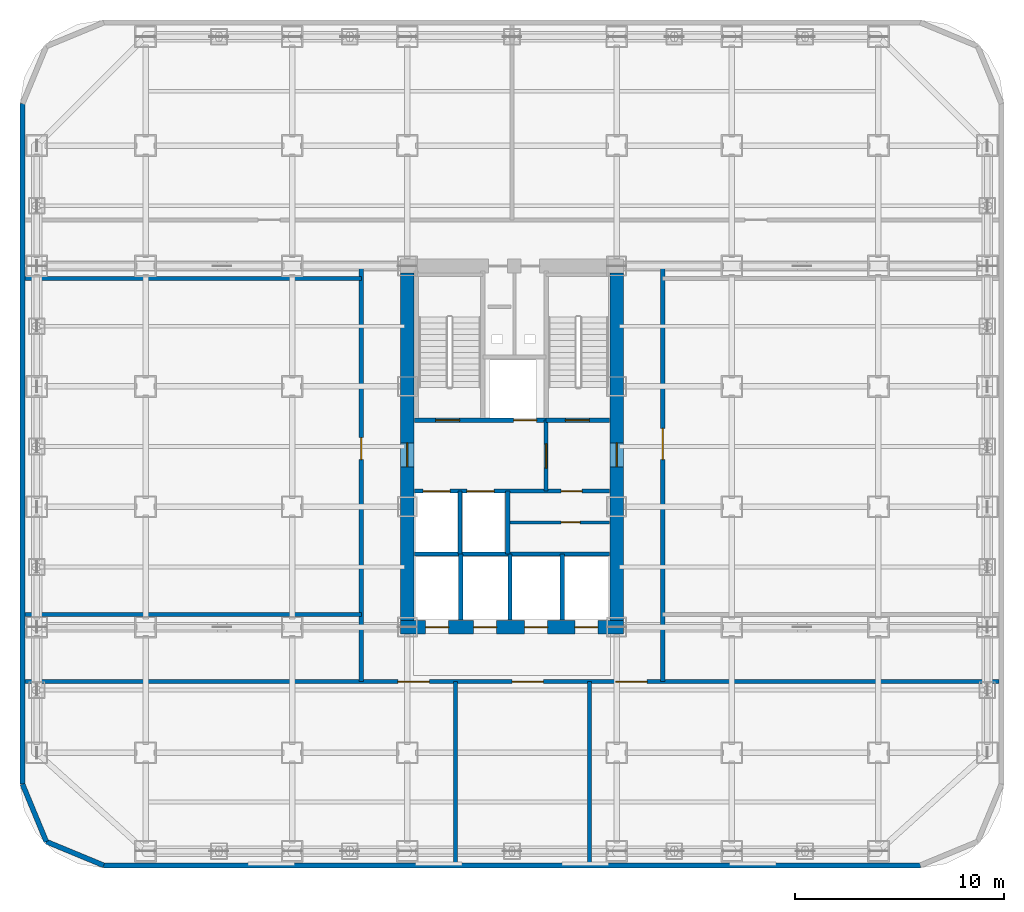
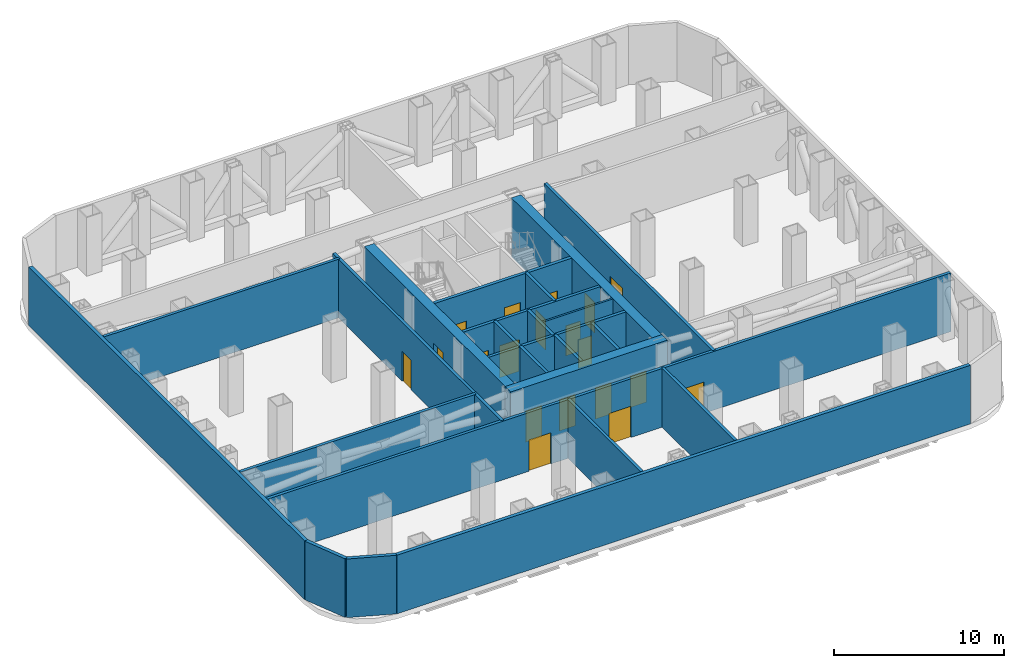
# One storey, part 8 of 10: 25 walls, 19 doors, 19 openings.
"""IFC4 building model written with IfcOpenShell, lengths in metres."""

from ifc_helpers import new_model, si_unit, direction, frame, frame_2d, origin, place, context, subcontext, project, spatial, rectangle, extrude, material, layer, layer_set, type_object, element, fill, save


model = new_model("IFC4")

# Units and contexts
model_context = context("Model", 3, precision=1e-05, world=origin(), true_north=direction((0.0, 1.0)))
body_context = subcontext(model_context, "Body", "Model", "MODEL_VIEW")
ifc_project = project(units=[si_unit("LENGTHUNIT", "METRE"), si_unit("AREAUNIT", "SQUARE_METRE"), si_unit("VOLUMEUNIT", "CUBIC_METRE"), si_unit("PLANEANGLEUNIT", "RADIAN"), si_unit("MASSUNIT", "GRAM", prefix="KILO")], contexts=[model_context])

# Site, building, storey
site_placement = place(None, origin())
site = spatial("IfcSite", under=ifc_project, at=site_placement, CompositionType="ELEMENT")
building_placement = place(site_placement, origin())
building = spatial("IfcBuilding", under=site, at=building_placement, Name="Kolveth Station Tower", CompositionType="ELEMENT")
storey_placement = place(building_placement, frame((0.0, 0.0, 76.5)))
storey = spatial("IfcBuildingStorey", under=building, at=storey_placement, Name="L20", CompositionType="ELEMENT", Elevation=76.5)

# Wall, openings, doors
ifc_material_1 = material(Name="Concrete C60/75", Category="concrete")
ifc_layer_1 = layer(ifc_material_1, 0.64990234375)
ifc_layer_set_1 = layer_set([ifc_layer_1], Name="Concrete C60/75")
wall_type_1 = type_object("IfcWallType", Name="Wall_CW-650", PredefinedType="SHEAR", material=ifc_layer_set_1)
wall_1_placement = place(storey_placement, frame((18.175048828125, 11.5, 0.0), z_axis=(0.0, 0.0, 1.0), x_axis=(1.0, 0.0, 0.0)))
wall_1 = element("IfcWall", 1, at=wall_1_placement, inside=storey, type_object=wall_type_1, Name="L20 Core RC Shear Wall S", PredefinedType="SHEAR", context=body_context, shape_type="SweptSolid", body=[
    extrude(rectangle(XDim=10.64990234375, YDim=0.64990234375, at=frame_2d((5.324951171875, 0.0))), origin(), (0.0, 0.0, 1.0), 4.219970703125),
])
opening_1_placement = place(wall_1_placement, frame((1.195068359375, 0.0, 0.0)))
opening_1 = element("IfcOpeningElement", 2, at=opening_1_placement, cuts=wall_1, Name="Opening LD1", PredefinedType="OPENING", context=body_context, shape_type="SweptSolid", body=[
    extrude(rectangle(XDim=1.10009765625, YDim=2.25, at=frame_2d((0.550048828125, 1.125))), frame((0.0, 0.3349609375, 0.0), z_axis=(0.0, -1.0, 0.0), x_axis=(1.0, 0.0, 0.0)), (0.0, 0.0, 1.0), 0.669921875),
])
opening_2_placement = place(wall_1_placement, frame((3.4951171875, 0.0, 0.0)))
opening_2 = element("IfcOpeningElement", 3, at=opening_2_placement, cuts=wall_1, Name="Opening LD1", PredefinedType="OPENING", context=body_context, shape_type="SweptSolid", body=[
    extrude(rectangle(XDim=1.10009765625, YDim=2.25, at=frame_2d((0.550048828125, 1.125))), frame((0.0, 0.3349609375, 0.0), z_axis=(0.0, -1.0, 0.0), x_axis=(1.0, 0.0, 0.0)), (0.0, 0.0, 1.0), 0.669921875),
])
opening_3_placement = place(wall_1_placement, frame((5.925048828125, 0.0, 0.0)))
opening_3 = element("IfcOpeningElement", 4, at=opening_3_placement, cuts=wall_1, Name="Opening LD1", PredefinedType="OPENING", context=body_context, shape_type="SweptSolid", body=[
    extrude(rectangle(XDim=1.10009765625, YDim=2.25, at=frame_2d((0.550048828125, 1.125))), frame((0.0, 0.3349609375, 0.0), z_axis=(0.0, -1.0, 0.0), x_axis=(1.0, 0.0, 0.0)), (0.0, 0.0, 1.0), 0.669921875),
])
opening_4_placement = place(wall_1_placement, frame((8.324951171875, 0.0, 0.0)))
opening_4 = element("IfcOpeningElement", 5, at=opening_4_placement, cuts=wall_1, Name="Opening LD1", PredefinedType="OPENING", context=body_context, shape_type="SweptSolid", body=[
    extrude(rectangle(XDim=1.10009765625, YDim=2.25, at=frame_2d((0.550048828125, 1.125))), frame((0.0, 0.3349609375, 0.0), z_axis=(0.0, -1.0, 0.0), x_axis=(1.0, 0.0, 0.0)), (0.0, 0.0, 1.0), 0.669921875),
])
ifc_material_2 = material(Name="Brushed stainless steel sliding landing doors", Category="steel")
door_type_1 = type_object("IfcDoorType", Name="Door_LD1", OperationType="NOTDEFINED", PredefinedType="DOOR", material=ifc_material_2)
door_1_placement = place(opening_1_placement, frame((1.10009765625, 0.0, 0.0), z_axis=(0.0, 0.0, 1.0), x_axis=(-1.0, 0.0, 0.0)))
door_1 = element("IfcDoor", 6, at=door_1_placement, inside=storey, type_object=door_type_1, Name="L20 Lift PL1 Landing Door", OperationType="DOUBLE_DOOR_SLIDING", OverallHeight=2.25, OverallWidth=1.10009765625, PredefinedType="DOOR", context=body_context, shape_type="SweptSolid", body=[
    extrude(rectangle(XDim=1.10009765625, YDim=2.25, at=frame_2d((0.550048828125, 1.125))), frame((0.0, 0.02490234375, 0.0), z_axis=(0.0, -1.0, 0.0), x_axis=(1.0, 0.0, 0.0)), (0.0, 0.0, 1.0), 0.050048828125),
])
fill(opening_1, door_1)
door_2_placement = place(opening_2_placement, frame((1.10009765625, 0.0, 0.0), z_axis=(0.0, 0.0, 1.0), x_axis=(-1.0, 0.0, 0.0)))
door_2 = element("IfcDoor", 7, at=door_2_placement, inside=storey, type_object=door_type_1, Name="L20 Lift PL2 Landing Door", OperationType="DOUBLE_DOOR_SLIDING", OverallHeight=2.25, OverallWidth=1.10009765625, PredefinedType="DOOR", context=body_context, shape_type="SweptSolid", body=[
    extrude(rectangle(XDim=1.10009765625, YDim=2.25, at=frame_2d((0.550048828125, 1.125))), frame((0.0, 0.02490234375, 0.0), z_axis=(0.0, -1.0, 0.0), x_axis=(1.0, 0.0, 0.0)), (0.0, 0.0, 1.0), 0.050048828125),
])
fill(opening_2, door_2)
door_3_placement = place(opening_3_placement, frame((1.10009765625, 0.0, 0.0), z_axis=(0.0, 0.0, 1.0), x_axis=(-1.0, 0.0, 0.0)))
door_3 = element("IfcDoor", 8, at=door_3_placement, inside=storey, type_object=door_type_1, Name="L20 Lift PM1 Landing Door", OperationType="DOUBLE_DOOR_SLIDING", OverallHeight=2.25, OverallWidth=1.10009765625, PredefinedType="DOOR", context=body_context, shape_type="SweptSolid", body=[
    extrude(rectangle(XDim=1.10009765625, YDim=2.25, at=frame_2d((0.550048828125, 1.125))), frame((0.0, 0.02490234375, 0.0), z_axis=(0.0, -1.0, 0.0), x_axis=(1.0, 0.0, 0.0)), (0.0, 0.0, 1.0), 0.050048828125),
])
fill(opening_3, door_3)
door_4_placement = place(opening_4_placement, frame((1.10009765625, 0.0, 0.0), z_axis=(0.0, 0.0, 1.0), x_axis=(-1.0, 0.0, 0.0)))
door_4 = element("IfcDoor", 9, at=door_4_placement, inside=storey, type_object=door_type_1, Name="L20 Lift PH1 Landing Door", OperationType="DOUBLE_DOOR_SLIDING", OverallHeight=2.25, OverallWidth=1.10009765625, PredefinedType="DOOR", context=body_context, shape_type="SweptSolid", body=[
    extrude(rectangle(XDim=1.10009765625, YDim=2.25, at=frame_2d((0.550048828125, 1.125))), frame((0.0, 0.02490234375, 0.0), z_axis=(0.0, -1.0, 0.0), x_axis=(1.0, 0.0, 0.0)), (0.0, 0.0, 1.0), 0.050048828125),
])
fill(opening_4, door_4)

# Wall, opening, door
wall_2_placement = place(storey_placement, frame((18.5, 11.824951171875, 0.0), z_axis=(0.0, 0.0, 1.0), x_axis=(0.0, 1.0, 0.0)))
wall_2 = element("IfcWall", 10, at=wall_2_placement, inside=storey, type_object=wall_type_1, Name="L20 Core RC Shear Wall W", PredefinedType="SHEAR", context=body_context, shape_type="SweptSolid", body=[
    extrude(rectangle(XDim=16.60009765625, YDim=0.64990234375, at=frame_2d((8.300048828125, 0.0))), origin(), (0.0, 0.0, 1.0), 4.219970703125),
])
opening_5_placement = place(wall_2_placement, frame((7.324951171875, 0.0, 0.0)))
opening_5 = element("IfcOpeningElement", 11, at=opening_5_placement, cuts=wall_2, Name="Opening FD1", PredefinedType="OPENING", context=body_context, shape_type="SweptSolid", body=[
    extrude(rectangle(XDim=1.14990234375, YDim=2.199951171875, at=frame_2d((0.574951171875, 1.10009765625))), frame((0.0, 0.3349609375, 0.0), z_axis=(0.0, -1.0, 0.0), x_axis=(1.0, 0.0, 0.0)), (0.0, 0.0, 1.0), 0.669921875),
])
ifc_material_3 = material(Name="Fire-rated Steel S355 leaf and frame", Category="steel")
door_type_2 = type_object("IfcDoorType", Name="Door_FD1", OperationType="NOTDEFINED", PredefinedType="DOOR", material=ifc_material_3)
door_5_placement = place(opening_5_placement, frame((1.14990234375, 0.0, 0.0), z_axis=(0.0, 0.0, 1.0), x_axis=(-1.0, 0.0, 0.0)))
door_5 = element("IfcDoor", 12, at=door_5_placement, inside=storey, type_object=door_type_2, Name="L20 West Corridor to Firefighting Lobby Door", OperationType="SINGLE_SWING_RIGHT", OverallHeight=2.199951171875, OverallWidth=1.14990234375, PredefinedType="DOOR", context=body_context, shape_type="SweptSolid", body=[
    extrude(rectangle(XDim=1.14990234375, YDim=2.199951171875, at=frame_2d((0.574951171875, 1.10009765625))), frame((0.0, 0.02490234375, 0.0), z_axis=(0.0, -1.0, 0.0), x_axis=(1.0, 0.0, 0.0)), (0.0, 0.0, 1.0), 0.050048828125),
])
fill(opening_5, door_5)

wall_3_placement = place(storey_placement, frame((28.5, 11.824951171875, 0.0), z_axis=(0.0, 0.0, 1.0), x_axis=(0.0, 1.0, 0.0)))
wall_3 = element("IfcWall", 13, at=wall_3_placement, inside=storey, type_object=wall_type_1, Name="L20 Core RC Shear Wall E", PredefinedType="SHEAR", context=body_context, shape_type="SweptSolid", body=[
    extrude(rectangle(XDim=16.60009765625, YDim=0.64990234375, at=frame_2d((8.300048828125, 0.0))), origin(), (0.0, 0.0, 1.0), 4.219970703125),
])
opening_6_placement = place(wall_3_placement, frame((7.324951171875, 0.0, 0.0)))
opening_6 = element("IfcOpeningElement", 14, at=opening_6_placement, cuts=wall_3, Name="Opening FD1", PredefinedType="OPENING", context=body_context, shape_type="SweptSolid", body=[
    extrude(rectangle(XDim=1.14990234375, YDim=2.199951171875, at=frame_2d((0.574951171875, 1.10009765625))), frame((0.0, 0.3349609375, 0.0), z_axis=(0.0, -1.0, 0.0), x_axis=(1.0, 0.0, 0.0)), (0.0, 0.0, 1.0), 0.669921875),
])
door_6_placement = place(opening_6_placement, origin())
door_6 = element("IfcDoor", 15, at=door_6_placement, inside=storey, type_object=door_type_2, Name="L20 East Corridor to Stair Lobby Door", OperationType="SINGLE_SWING_LEFT", OverallHeight=2.199951171875, OverallWidth=1.14990234375, PredefinedType="DOOR", context=body_context, shape_type="SweptSolid", body=[
    extrude(rectangle(XDim=1.14990234375, YDim=2.199951171875, at=frame_2d((0.574951171875, 1.10009765625))), frame((0.0, 0.02490234375, 0.0), z_axis=(0.0, -1.0, 0.0), x_axis=(1.0, 0.0, 0.0)), (0.0, 0.0, 1.0), 0.050048828125),
])
fill(opening_6, door_6)

# Walls
ifc_material_4 = material(Name="Precast concrete C40/50", Category="concrete")
ifc_layer_2 = layer(ifc_material_4, 0.239990234375)
ifc_layer_set_2 = layer_set([ifc_layer_2], Name="Precast concrete C40/50")
wall_type_2 = type_object("IfcWallType", Name="Wall_EW-240", PredefinedType="SOLIDWALL", material=ifc_layer_set_2)
wall_4_placement = place(storey_placement, frame((0.1201171875, 36.5, 0.0), z_axis=(0.0, 0.0, 1.0), x_axis=(0.0, -1.0, 0.0)))
element("IfcWall", 16, at=wall_4_placement, inside=storey, type_object=wall_type_2, Name="L20 Plant Perimeter Spandrel Wall 9", PredefinedType="SOLIDWALL", context=body_context, shape_type="SweptSolid", body=[
    extrude(rectangle(XDim=32.5, YDim=0.239990234375, at=frame_2d((16.25, 0.0))), origin(), (0.0, 0.0, 1.0), 4.219970703125),
])
for number, where, z_axis, x_axis, name in (
    (17, (0.1201171875, 4.0, 0.0), (0.0, 0.0, 1.0), (0.382618029237, -0.923906620662, 0.0), "L20 Plant Perimeter Spandrel Wall 10"),
    (18, (1.25634765625, 1.25634765625, 0.0), (0.0, 0.0, 1.0), (0.923906620662, -0.382618029237, 0.0), "L20 Plant Perimeter Spandrel Wall 11"),
):
    element("IfcWall", number, at=place(storey_placement, frame(where, z_axis=z_axis, x_axis=x_axis)), inside=storey, type_object=wall_type_2, Name=name, PredefinedType="SOLIDWALL", context=body_context, shape_type="SweptSolid", body=[
        extrude(rectangle(XDim=2.9697265625, YDim=0.239990234375, at=frame_2d((1.48486328125, 0.0))), origin(), (0.0, 0.0, 1.0), 4.219970703125),
    ])
wall_5_placement = place(storey_placement, frame((4.0, 0.1201171875, 0.0), z_axis=(0.0, 0.0, 1.0), x_axis=(1.0, 0.0, 0.0)))
element("IfcWall", 19, at=wall_5_placement, inside=storey, type_object=wall_type_2, Name="L20 Plant Perimeter Spandrel Wall 12", PredefinedType="SOLIDWALL", context=body_context, shape_type="SweptSolid", body=[
    extrude(rectangle(XDim=39.0, YDim=0.239990234375, at=frame_2d((19.5, 0.0))), origin(), (0.0, 0.0, 1.0), 4.219970703125),
])

# Wall, opening, door
ifc_material_5 = material(Name="Moisture-resistant gypsum partition")
ifc_layer_3 = layer(ifc_material_5, 0.135009765625)
ifc_layer_set_3 = layer_set([ifc_layer_3], Name="Moisture-resistant gypsum partition")
wall_type_3 = type_object("IfcWallType", Name="Wall_IW-135", PredefinedType="PARTITIONING", material=ifc_layer_set_3)
wall_6_placement = place(storey_placement, frame((23.300048828125, 16.5, 0.0), z_axis=(0.0, 0.0, 1.0), x_axis=(1.0, 0.0, 0.0)))
wall_6 = element("IfcWall", 20, at=wall_6_placement, inside=storey, type_object=wall_type_3, Name="L20 Partition Wall WL-L20-CB-H1", PredefinedType="PARTITIONING", context=body_context, shape_type="SweptSolid", body=[
    extrude(rectangle(XDim=4.864990234375, YDim=0.135009765625, at=frame_2d((2.4326171875, 0.0))), origin(), (0.0, 0.0, 1.0), 4.219970703125),
])
opening_7_placement = place(wall_6_placement, frame((2.550048828125, 0.0, 0.0)))
opening_7 = element("IfcOpeningElement", 21, at=opening_7_placement, cuts=wall_6, Name="Opening RD1", PredefinedType="OPENING", context=body_context, shape_type="SweptSolid", body=[
    extrude(rectangle(XDim=0.89990234375, YDim=2.050048828125, at=frame_2d((0.449951171875, 1.02490234375))), frame((0.0, 0.077392578125, 0.0), z_axis=(0.0, -1.0, 0.0), x_axis=(1.0, 0.0, 0.0)), (0.0, 0.0, 1.0), 0.155029296875),
])
ifc_material_6 = material(Name="Fire-rated Steel S355 riser access leaf", Category="steel")
door_type_3 = type_object("IfcDoorType", Name="Door_RD1", OperationType="NOTDEFINED", PredefinedType="DOOR", material=ifc_material_6)
door_7_placement = place(opening_7_placement, frame((0.89990234375, 0.0, 0.0), z_axis=(0.0, 0.0, 1.0), x_axis=(-1.0, 0.0, 0.0)))
door_7 = element("IfcDoor", 22, at=door_7_placement, inside=storey, type_object=door_type_3, Name="L20 Core Equipment Store Door", OperationType="SINGLE_SWING_LEFT", OverallHeight=2.050048828125, OverallWidth=0.89990234375, PredefinedType="DOOR", context=body_context, shape_type="SweptSolid", body=[
    extrude(rectangle(XDim=0.89990234375, YDim=2.050048828125, at=frame_2d((0.449951171875, 1.02490234375))), frame((0.0, 0.02490234375, 0.0), z_axis=(0.0, -1.0, 0.0), x_axis=(1.0, 0.0, 0.0)), (0.0, 0.0, 1.0), 0.050048828125),
])
fill(opening_7, door_7)

ifc_material_7 = material(Name="Acoustic fire-rated gypsum blockwork", Category="masonry")
ifc_layer_4 = layer(ifc_material_7, 0.199951171875)
ifc_layer_set_4 = layer_set([ifc_layer_4], Name="Acoustic fire-rated gypsum blockwork")
wall_type_4 = type_object("IfcWallType", Name="Wall_IW-200", PredefinedType="PARTITIONING", material=ifc_layer_set_4)
wall_7_placement = place(storey_placement, frame((25.1298828125, 18.0, 0.0), z_axis=(0.0, 0.0, 1.0), x_axis=(0.0, 1.0, 0.0)))
wall_7 = element("IfcWall", 23, at=wall_7_placement, inside=storey, type_object=wall_type_4, Name="L20 Partition Wall WL-L20-FFL-E", PredefinedType="PARTITIONING", context=body_context, shape_type="SweptSolid", body=[
    extrude(rectangle(XDim=3.389892578125, YDim=0.199951171875, at=frame_2d((1.69482421875, 0.0))), origin(), (0.0, 0.0, 1.0), 4.219970703125),
])
opening_8_placement = place(wall_7_placement, frame((1.10009765625, 0.0, 0.0)))
opening_8 = element("IfcOpeningElement", 24, at=opening_8_placement, cuts=wall_7, Name="Opening FD1", PredefinedType="OPENING", context=body_context, shape_type="SweptSolid", body=[
    extrude(rectangle(XDim=1.14990234375, YDim=2.199951171875, at=frame_2d((0.574951171875, 1.10009765625))), frame((0.0, 0.10986328125, 0.0), z_axis=(0.0, -1.0, 0.0), x_axis=(1.0, 0.0, 0.0)), (0.0, 0.0, 1.0), 0.219970703125),
])
door_8_placement = place(opening_8_placement, origin())
door_8 = element("IfcDoor", 25, at=door_8_placement, inside=storey, type_object=door_type_2, Name="L20 Firefighting to Stair Lobby Door", OperationType="SINGLE_SWING_LEFT", OverallHeight=2.199951171875, OverallWidth=1.14990234375, PredefinedType="DOOR", context=body_context, shape_type="SweptSolid", body=[
    extrude(rectangle(XDim=1.14990234375, YDim=2.199951171875, at=frame_2d((0.574951171875, 1.10009765625))), frame((0.0, 0.02490234375, 0.0), z_axis=(0.0, -1.0, 0.0), x_axis=(1.0, 0.0, 0.0)), (0.0, 0.0, 1.0), 0.050048828125),
])
fill(opening_8, door_8)

# Wall, openings, doors
wall_8_placement = place(storey_placement, frame((18.8349609375, 18.0, 0.0), z_axis=(0.0, 0.0, 1.0), x_axis=(1.0, 0.0, 0.0)))
wall_8 = element("IfcWall", 26, at=wall_8_placement, inside=storey, type_object=wall_type_4, Name="L20 Partition Wall WL-L20-FFL-S", PredefinedType="PARTITIONING", context=body_context, shape_type="SweptSolid", body=[
    extrude(rectangle(XDim=9.330078125, YDim=0.199951171875, at=frame_2d((4.6650390625, 0.0))), origin(), (0.0, 0.0, 1.0), 4.219970703125),
])
opening_9_placement = place(wall_8_placement, frame((0.4150390625, 0.0, 0.0)))
opening_9 = element("IfcOpeningElement", 27, at=opening_9_placement, cuts=wall_8, Name="Opening LD2", PredefinedType="OPENING", context=body_context, shape_type="SweptSolid", body=[
    extrude(rectangle(XDim=1.300048828125, YDim=2.300048828125, at=frame_2d((0.64990234375, 1.14990234375))), frame((0.0, 0.10986328125, 0.0), z_axis=(0.0, -1.0, 0.0), x_axis=(1.0, 0.0, 0.0)), (0.0, 0.0, 1.0), 0.219970703125),
])
opening_10_placement = place(wall_8_placement, frame((2.514892578125, 0.0, 0.0)))
opening_10 = element("IfcOpeningElement", 28, at=opening_10_placement, cuts=wall_8, Name="Opening LD2", PredefinedType="OPENING", context=body_context, shape_type="SweptSolid", body=[
    extrude(rectangle(XDim=1.300048828125, YDim=2.300048828125, at=frame_2d((0.64990234375, 1.14990234375))), frame((0.0, 0.10986328125, 0.0), z_axis=(0.0, -1.0, 0.0), x_axis=(1.0, 0.0, 0.0)), (0.0, 0.0, 1.0), 0.219970703125),
])
opening_11_placement = place(wall_8_placement, frame((7.014892578125, 0.0, 0.0)))
opening_11 = element("IfcOpeningElement", 29, at=opening_11_placement, cuts=wall_8, Name="Opening FD3", PredefinedType="OPENING", context=body_context, shape_type="SweptSolid", body=[
    extrude(rectangle(XDim=1.0, YDim=2.14990234375, at=frame_2d((0.5, 1.074951171875))), frame((0.0, 0.10986328125, 0.0), z_axis=(0.0, -1.0, 0.0), x_axis=(1.0, 0.0, 0.0)), (0.0, 0.0, 1.0), 0.219970703125),
])
ifc_material_8 = material(Name="Fire-rated hardwood leaf and aluminium frame", Category="wood")
door_type_4 = type_object("IfcDoorType", Name="Door_FD3", OperationType="NOTDEFINED", PredefinedType="DOOR", material=ifc_material_8)
door_9_placement = place(opening_11_placement, frame((1.0, 0.0, 0.0), z_axis=(0.0, 0.0, 1.0), x_axis=(-1.0, 0.0, 0.0)))
door_9 = element("IfcDoor", 30, at=door_9_placement, inside=storey, type_object=door_type_4, Name="L20 Core Linen and Supply Store Door", OperationType="SINGLE_SWING_RIGHT", OverallHeight=2.14990234375, OverallWidth=1.0, PredefinedType="DOOR", context=body_context, shape_type="SweptSolid", body=[
    extrude(rectangle(XDim=1.0, YDim=2.14990234375, at=frame_2d((0.5, 1.074951171875))), frame((0.0, 0.02490234375, 0.0), z_axis=(0.0, -1.0, 0.0), x_axis=(1.0, 0.0, 0.0)), (0.0, 0.0, 1.0), 0.050048828125),
])
fill(opening_11, door_9)
ifc_material_9 = material(Name="Firefighting stainless steel sliding landing doors", Category="steel")
door_type_5 = type_object("IfcDoorType", Name="Door_LD2", OperationType="NOTDEFINED", PredefinedType="DOOR", material=ifc_material_9)
door_10_placement = place(opening_9_placement, origin())
door_10 = element("IfcDoor", 31, at=door_10_placement, inside=storey, type_object=door_type_5, Name="L20 Firefighting Lift FF1 Landing Door", OperationType="DOUBLE_DOOR_SLIDING", OverallHeight=2.300048828125, OverallWidth=1.300048828125, PredefinedType="DOOR", context=body_context, shape_type="SweptSolid", body=[
    extrude(rectangle(XDim=1.300048828125, YDim=2.300048828125, at=frame_2d((0.64990234375, 1.14990234375))), frame((0.0, 0.02490234375, 0.0), z_axis=(0.0, -1.0, 0.0), x_axis=(1.0, 0.0, 0.0)), (0.0, 0.0, 1.0), 0.050048828125),
])
fill(opening_9, door_10)
door_11_placement = place(opening_10_placement, origin())
door_11 = element("IfcDoor", 32, at=door_11_placement, inside=storey, type_object=door_type_5, Name="L20 Firefighting Lift FF2 Landing Door", OperationType="DOUBLE_DOOR_SLIDING", OverallHeight=2.300048828125, OverallWidth=1.300048828125, PredefinedType="DOOR", context=body_context, shape_type="SweptSolid", body=[
    extrude(rectangle(XDim=1.300048828125, YDim=2.300048828125, at=frame_2d((0.64990234375, 1.14990234375))), frame((0.0, 0.02490234375, 0.0), z_axis=(0.0, -1.0, 0.0), x_axis=(1.0, 0.0, 0.0)), (0.0, 0.0, 1.0), 0.050048828125),
])
fill(opening_10, door_11)

# Walls
for number, where, z_axis, x_axis, name in (
    (33, (21.02001953125, 15.0, 0.0), (0.0, 0.0, 1.0), (0.0, 1.0, 0.0), "L20 Partition Wall WL-L20-FF12"),
    (34, (23.300048828125, 15.0, 0.0), (0.0, 0.0, 1.0), (0.0, 1.0, 0.0), "L20 Partition Wall WL-L20-FF2E"),
):
    element("IfcWall", number, at=place(storey_placement, frame(where, z_axis=z_axis, x_axis=x_axis)), inside=storey, type_object=wall_type_4, Name=name, PredefinedType="PARTITIONING", context=body_context, shape_type="SweptSolid", body=[
        extrude(rectangle(XDim=3.0, YDim=0.199951171875, at=frame_2d((1.5, 0.0))), origin(), (0.0, 0.0, 1.0), 4.219970703125),
    ])
wall_9_placement = place(storey_placement, frame((18.8349609375, 15.0, 0.0), z_axis=(0.0, 0.0, 1.0), x_axis=(1.0, 0.0, 0.0)))
element("IfcWall", 35, at=wall_9_placement, inside=storey, type_object=wall_type_4, Name="L20 Partition Wall WL-L20-BOH-S", PredefinedType="PARTITIONING", context=body_context, shape_type="SweptSolid", body=[
    extrude(rectangle(XDim=9.330078125, YDim=0.199951171875, at=frame_2d((4.6650390625, 0.0))), origin(), (0.0, 0.0, 1.0), 4.219970703125),
])
for number, where, z_axis, x_axis, name in (
    (36, (21.050048828125, 11.8349609375, 0.0), (0.0, 0.0, 1.0), (0.0, 1.0, 0.0), "L20 Partition Wall WL-L20-PL12"),
    (37, (23.39990234375, 11.8349609375, 0.0), (0.0, 0.0, 1.0), (0.0, 1.0, 0.0), "L20 Partition Wall WL-L20-PL2E"),
    (38, (25.89990234375, 11.8349609375, 0.0), (0.0, 0.0, 1.0), (0.0, 1.0, 0.0), "L20 Partition Wall WL-L20-PMPH"),
):
    element("IfcWall", number, at=place(storey_placement, frame(where, z_axis=z_axis, x_axis=x_axis)), inside=storey, type_object=wall_type_4, Name=name, PredefinedType="PARTITIONING", context=body_context, shape_type="SweptSolid", body=[
        extrude(rectangle(XDim=3.1650390625, YDim=0.199951171875, at=frame_2d((1.58251953125, 0.0))), origin(), (0.0, 0.0, 1.0), 4.219970703125),
    ])

# Wall, openings, doors
wall_10_placement = place(storey_placement, frame((0.25, 8.89990234375, 0.0), z_axis=(0.0, 0.0, 1.0), x_axis=(1.0, 0.0, 0.0)))
wall_10 = element("IfcWall", 39, at=wall_10_placement, inside=storey, type_object=wall_type_4, Name="L20 Partition Wall WL-L20-PR-S", PredefinedType="PARTITIONING", context=body_context, shape_type="SweptSolid", body=[
    extrude(rectangle(XDim=46.5, YDim=0.199951171875, at=frame_2d((23.25, 0.0))), origin(), (0.0, 0.0, 1.0), 4.219970703125),
])
opening_12_placement = place(wall_10_placement, frame((17.800048828125, 0.0, 0.0)))
opening_12 = element("IfcOpeningElement", 40, at=opening_12_placement, cuts=wall_10, Name="Opening FD4", PredefinedType="OPENING", context=body_context, shape_type="SweptSolid", body=[
    extrude(rectangle(XDim=1.5, YDim=2.25, at=frame_2d((0.75, 1.125))), frame((0.0, 0.10986328125, 0.0), z_axis=(0.0, -1.0, 0.0), x_axis=(1.0, 0.0, 0.0)), (0.0, 0.0, 1.0), 0.219970703125),
])
opening_13_placement = place(wall_10_placement, frame((23.25, 0.0, 0.0)))
opening_13 = element("IfcOpeningElement", 41, at=opening_13_placement, cuts=wall_10, Name="Opening FD4", PredefinedType="OPENING", context=body_context, shape_type="SweptSolid", body=[
    extrude(rectangle(XDim=1.5, YDim=2.25, at=frame_2d((0.75, 1.125))), frame((0.0, 0.10986328125, 0.0), z_axis=(0.0, -1.0, 0.0), x_axis=(1.0, 0.0, 0.0)), (0.0, 0.0, 1.0), 0.219970703125),
])
opening_14_placement = place(wall_10_placement, frame((28.199951171875, 0.0, 0.0)))
opening_14 = element("IfcOpeningElement", 42, at=opening_14_placement, cuts=wall_10, Name="Opening FD4", PredefinedType="OPENING", context=body_context, shape_type="SweptSolid", body=[
    extrude(rectangle(XDim=1.5, YDim=2.25, at=frame_2d((0.75, 1.125))), frame((0.0, 0.10986328125, 0.0), z_axis=(0.0, -1.0, 0.0), x_axis=(1.0, 0.0, 0.0)), (0.0, 0.0, 1.0), 0.219970703125),
])
ifc_material_10 = material(Name="Fire-rated double Steel S355 leaf", Category="steel")
door_type_6 = type_object("IfcDoorType", Name="Door_FD4", OperationType="NOTDEFINED", PredefinedType="DOOR", material=ifc_material_10)
door_12_placement = place(opening_12_placement, frame((1.5, 0.0, 0.0), z_axis=(0.0, 0.0, 1.0), x_axis=(-1.0, 0.0, 0.0)))
door_12 = element("IfcDoor", 43, at=door_12_placement, inside=storey, type_object=door_type_6, Name="L20 Chiller Plant Room Door", OperationType="SINGLE_SWING_RIGHT", OverallHeight=2.25, OverallWidth=1.5, PredefinedType="DOOR", context=body_context, shape_type="SweptSolid", body=[
    extrude(rectangle(XDim=1.5, YDim=2.25, at=frame_2d((0.75, 1.125))), frame((0.0, 0.02490234375, 0.0), z_axis=(0.0, -1.0, 0.0), x_axis=(1.0, 0.0, 0.0)), (0.0, 0.0, 1.0), 0.050048828125),
])
fill(opening_12, door_12)
door_13_placement = place(opening_13_placement, frame((1.5, 0.0, 0.0), z_axis=(0.0, 0.0, 1.0), x_axis=(-1.0, 0.0, 0.0)))
door_13 = element("IfcDoor", 44, at=door_13_placement, inside=storey, type_object=door_type_6, Name="L20 Refuge Area South Door", OperationType="SINGLE_SWING_LEFT", OverallHeight=2.25, OverallWidth=1.5, PredefinedType="DOOR", context=body_context, shape_type="SweptSolid", body=[
    extrude(rectangle(XDim=1.5, YDim=2.25, at=frame_2d((0.75, 1.125))), frame((0.0, 0.02490234375, 0.0), z_axis=(0.0, -1.0, 0.0), x_axis=(1.0, 0.0, 0.0)), (0.0, 0.0, 1.0), 0.050048828125),
])
fill(opening_13, door_13)
door_14_placement = place(opening_14_placement, frame((1.5, 0.0, 0.0), z_axis=(0.0, 0.0, 1.0), x_axis=(-1.0, 0.0, 0.0)))
door_14 = element("IfcDoor", 45, at=door_14_placement, inside=storey, type_object=door_type_6, Name="L20 Medium Voltage Switchgear Room Door", OperationType="SINGLE_SWING_LEFT", OverallHeight=2.25, OverallWidth=1.5, PredefinedType="DOOR", context=body_context, shape_type="SweptSolid", body=[
    extrude(rectangle(XDim=1.5, YDim=2.25, at=frame_2d((0.75, 1.125))), frame((0.0, 0.02490234375, 0.0), z_axis=(0.0, -1.0, 0.0), x_axis=(1.0, 0.0, 0.0)), (0.0, 0.0, 1.0), 0.050048828125),
])
fill(opening_14, door_14)

# Wall, opening, door
wall_11_placement = place(storey_placement, frame((16.300048828125, 8.89990234375, 0.0), z_axis=(0.0, 0.0, 1.0), x_axis=(0.0, 1.0, 0.0)))
wall_11 = element("IfcWall", 46, at=wall_11_placement, inside=storey, type_object=wall_type_4, Name="L20 Partition Wall WL-L20-PR-W", PredefinedType="PARTITIONING", context=body_context, shape_type="SweptSolid", body=[
    extrude(rectangle(XDim=19.85009765625, YDim=0.199951171875, at=frame_2d((9.925048828125, 0.0))), origin(), (0.0, 0.0, 1.0), 4.219970703125),
])
opening_15_placement = place(wall_11_placement, frame((10.60009765625, 0.0, 0.0)))
opening_15 = element("IfcOpeningElement", 47, at=opening_15_placement, cuts=wall_11, Name="Opening FD2", PredefinedType="OPENING", context=body_context, shape_type="SweptSolid", body=[
    extrude(rectangle(XDim=1.050048828125, YDim=2.14990234375, at=frame_2d((0.52490234375, 1.074951171875))), frame((0.0, 0.10986328125, 0.0), z_axis=(0.0, -1.0, 0.0), x_axis=(1.0, 0.0, 0.0)), (0.0, 0.0, 1.0), 0.219970703125),
])
door_type_7 = type_object("IfcDoorType", Name="Door_FD2", OperationType="NOTDEFINED", PredefinedType="DOOR", material=ifc_material_3)
door_15_placement = place(opening_15_placement, frame((1.050048828125, 0.0, 0.0), z_axis=(0.0, 0.0, 1.0), x_axis=(-1.0, 0.0, 0.0)))
door_15 = element("IfcDoor", 48, at=door_15_placement, inside=storey, type_object=door_type_7, Name="L20 Smoke Plant Room Door", OperationType="SINGLE_SWING_LEFT", OverallHeight=2.14990234375, OverallWidth=1.050048828125, PredefinedType="DOOR", context=body_context, shape_type="SweptSolid", body=[
    extrude(rectangle(XDim=1.050048828125, YDim=2.14990234375, at=frame_2d((0.52490234375, 1.074951171875))), frame((0.0, 0.02490234375, 0.0), z_axis=(0.0, -1.0, 0.0), x_axis=(1.0, 0.0, 0.0)), (0.0, 0.0, 1.0), 0.050048828125),
])
fill(opening_15, door_15)

wall_12_placement = place(storey_placement, frame((30.699951171875, 8.89990234375, 0.0), z_axis=(0.0, 0.0, 1.0), x_axis=(0.0, 1.0, 0.0)))
wall_12 = element("IfcWall", 49, at=wall_12_placement, inside=storey, type_object=wall_type_4, Name="L20 Partition Wall WL-L20-PR-E", PredefinedType="PARTITIONING", context=body_context, shape_type="SweptSolid", body=[
    extrude(rectangle(XDim=19.85009765625, YDim=0.199951171875, at=frame_2d((9.925048828125, 0.0))), origin(), (0.0, 0.0, 1.0), 4.219970703125),
])
opening_16_placement = place(wall_12_placement, frame((10.60009765625, 0.0, 0.0)))
opening_16 = element("IfcOpeningElement", 50, at=opening_16_placement, cuts=wall_12, Name="Opening FD4", PredefinedType="OPENING", context=body_context, shape_type="SweptSolid", body=[
    extrude(rectangle(XDim=1.5, YDim=2.25, at=frame_2d((0.75, 1.125))), frame((0.0, 0.10986328125, 0.0), z_axis=(0.0, -1.0, 0.0), x_axis=(1.0, 0.0, 0.0)), (0.0, 0.0, 1.0), 0.219970703125),
])
door_16_placement = place(opening_16_placement, origin())
door_16 = element("IfcDoor", 51, at=door_16_placement, inside=storey, type_object=door_type_6, Name="L20 Heat Recovery Plant Door", OperationType="DOUBLE_DOOR_SINGLE_SWING", OverallHeight=2.25, OverallWidth=1.5, PredefinedType="DOOR", context=body_context, shape_type="SweptSolid", body=[
    extrude(rectangle(XDim=1.5, YDim=2.25, at=frame_2d((0.75, 1.125))), frame((0.0, 0.02490234375, 0.0), z_axis=(0.0, -1.0, 0.0), x_axis=(1.0, 0.0, 0.0)), (0.0, 0.0, 1.0), 0.050048828125),
])
fill(opening_16, door_16)

# Walls
for number, where, z_axis, x_axis, name in (
    (52, (20.800048828125, 0.25, 0.0), (0.0, 0.0, 1.0), (0.0, 1.0, 0.0), "L20 Partition Wall WL-L20-PS-P1"),
    (53, (27.199951171875, 0.25, 0.0), (0.0, 0.0, 1.0), (0.0, 1.0, 0.0), "L20 Partition Wall WL-L20-PS-P2"),
):
    element("IfcWall", number, at=place(storey_placement, frame(where, z_axis=z_axis, x_axis=x_axis)), inside=storey, type_object=wall_type_4, Name=name, PredefinedType="PARTITIONING", context=body_context, shape_type="SweptSolid", body=[
        extrude(rectangle(XDim=8.64990234375, YDim=0.199951171875, at=frame_2d((4.324951171875, 0.0))), origin(), (0.0, 0.0, 1.0), 4.219970703125),
    ])
for number, where, z_axis, x_axis, name in (
    (54, (0.25, 12.10009765625, 0.0), (0.0, 0.0, 1.0), (1.0, 0.0, 0.0), "L20 Partition Wall WL-L20-OG-WS"),
    (55, (0.25, 28.14990234375, 0.0), (0.0, 0.0, 1.0), (1.0, 0.0, 0.0), "L20 Partition Wall WL-L20-OG-WN"),
):
    element("IfcWall", number, at=place(storey_placement, frame(where, z_axis=z_axis, x_axis=x_axis)), inside=storey, type_object=wall_type_4, Name=name, PredefinedType="PARTITIONING", context=body_context, shape_type="SweptSolid", body=[
        extrude(rectangle(XDim=16.050048828125, YDim=0.199951171875, at=frame_2d((8.02490234375, 0.0))), origin(), (0.0, 0.0, 1.0), 4.219970703125),
    ])

# Wall, openings, doors
ifc_material_11 = material(Name="Concrete C40/50", Category="concrete")
ifc_layer_5 = layer(ifc_material_11, 0.219970703125)
ifc_layer_set_5 = layer_set([ifc_layer_5], Name="Concrete C40/50")
wall_type_5 = type_object("IfcWallType", Name="Wall_IW-220", PredefinedType="SOLIDWALL", material=ifc_layer_set_5)
wall_13_placement = place(storey_placement, frame((18.8349609375, 21.389892578125, 0.0), z_axis=(0.0, 0.0, 1.0), x_axis=(1.0, 0.0, 0.0)))
wall_13 = element("IfcWall", 56, at=wall_13_placement, inside=storey, type_object=wall_type_5, Name="L20 Stair Shaft Wall WL-L20-ST1-S", PredefinedType="SOLIDWALL", context=body_context, shape_type="SweptSolid", body=[
    extrude(rectangle(XDim=6.294921875, YDim=0.219970703125, at=frame_2d((3.1474609375, 0.0))), origin(), (0.0, 0.0, 1.0), 4.219970703125),
])
opening_17_placement = place(wall_13_placement, frame((1.014892578125, 0.0, 0.0)))
opening_17 = element("IfcOpeningElement", 57, at=opening_17_placement, cuts=wall_13, Name="Opening FD1", PredefinedType="OPENING", context=body_context, shape_type="SweptSolid", body=[
    extrude(rectangle(XDim=1.14990234375, YDim=2.199951171875, at=frame_2d((0.574951171875, 1.10009765625))), frame((0.0, 0.119873046875, 0.0), z_axis=(0.0, -1.0, 0.0), x_axis=(1.0, 0.0, 0.0)), (0.0, 0.0, 1.0), 0.239990234375),
])
opening_18_placement = place(wall_13_placement, frame((4.7451171875, 0.0, 0.0)))
opening_18 = element("IfcOpeningElement", 58, at=opening_18_placement, cuts=wall_13, Name="Opening LD1", PredefinedType="OPENING", context=body_context, shape_type="SweptSolid", body=[
    extrude(rectangle(XDim=1.10009765625, YDim=2.25, at=frame_2d((0.550048828125, 1.125))), frame((0.0, 0.119873046875, 0.0), z_axis=(0.0, -1.0, 0.0), x_axis=(1.0, 0.0, 0.0)), (0.0, 0.0, 1.0), 0.239990234375),
])
door_17_placement = place(opening_17_placement, frame((1.14990234375, 0.0, 0.0), z_axis=(0.0, 0.0, 1.0), x_axis=(-1.0, 0.0, 0.0)))
door_17 = element("IfcDoor", 59, at=door_17_placement, inside=storey, type_object=door_type_2, Name="L20 Stair ST1 Fire Door", OperationType="SINGLE_SWING_LEFT", OverallHeight=2.199951171875, OverallWidth=1.14990234375, PredefinedType="DOOR", context=body_context, shape_type="SweptSolid", body=[
    extrude(rectangle(XDim=1.14990234375, YDim=2.199951171875, at=frame_2d((0.574951171875, 1.10009765625))), frame((0.0, 0.02490234375, 0.0), z_axis=(0.0, -1.0, 0.0), x_axis=(1.0, 0.0, 0.0)), (0.0, 0.0, 1.0), 0.050048828125),
])
fill(opening_17, door_17)
door_18_placement = place(opening_18_placement, frame((1.10009765625, 0.0, 0.0), z_axis=(0.0, 0.0, 1.0), x_axis=(-1.0, 0.0, 0.0)))
door_18 = element("IfcDoor", 60, at=door_18_placement, inside=storey, type_object=door_type_1, Name="L20 Service Lift SV1 Landing Door", OperationType="DOUBLE_DOOR_SLIDING", OverallHeight=2.25, OverallWidth=1.10009765625, PredefinedType="DOOR", context=body_context, shape_type="SweptSolid", body=[
    extrude(rectangle(XDim=1.10009765625, YDim=2.25, at=frame_2d((0.550048828125, 1.125))), frame((0.0, 0.02490234375, 0.0), z_axis=(0.0, -1.0, 0.0), x_axis=(1.0, 0.0, 0.0)), (0.0, 0.0, 1.0), 0.050048828125),
])
fill(opening_18, door_18)

# Wall, opening, door
wall_14_placement = place(storey_placement, frame((25.1298828125, 21.389892578125, 0.0), z_axis=(0.0, 0.0, 1.0), x_axis=(1.0, 0.0, 0.0)))
wall_14 = element("IfcWall", 61, at=wall_14_placement, inside=storey, type_object=wall_type_5, Name="L20 Stair Shaft Wall WL-L20-ST2-S", PredefinedType="SOLIDWALL", context=body_context, shape_type="SweptSolid", body=[
    extrude(rectangle(XDim=3.03515625, YDim=0.219970703125, at=frame_2d((1.517578125, 0.0))), origin(), (0.0, 0.0, 1.0), 4.219970703125),
])
opening_19_placement = place(wall_14_placement, frame((0.919921875, 0.0, 0.0)))
opening_19 = element("IfcOpeningElement", 62, at=opening_19_placement, cuts=wall_14, Name="Opening FD1", PredefinedType="OPENING", context=body_context, shape_type="SweptSolid", body=[
    extrude(rectangle(XDim=1.14990234375, YDim=2.199951171875, at=frame_2d((0.574951171875, 1.10009765625))), frame((0.0, 0.119873046875, 0.0), z_axis=(0.0, -1.0, 0.0), x_axis=(1.0, 0.0, 0.0)), (0.0, 0.0, 1.0), 0.239990234375),
])
door_19_placement = place(opening_19_placement, frame((1.14990234375, 0.0, 0.0), z_axis=(0.0, 0.0, 1.0), x_axis=(-1.0, 0.0, 0.0)))
door_19 = element("IfcDoor", 63, at=door_19_placement, inside=storey, type_object=door_type_2, Name="L20 Stair ST2 Fire Door", OperationType="SINGLE_SWING_LEFT", OverallHeight=2.199951171875, OverallWidth=1.14990234375, PredefinedType="DOOR", context=body_context, shape_type="SweptSolid", body=[
    extrude(rectangle(XDim=1.14990234375, YDim=2.199951171875, at=frame_2d((0.574951171875, 1.10009765625))), frame((0.0, 0.02490234375, 0.0), z_axis=(0.0, -1.0, 0.0), x_axis=(1.0, 0.0, 0.0)), (0.0, 0.0, 1.0), 0.050048828125),
])
fill(opening_19, door_19)

save(model, "model.ifc")
